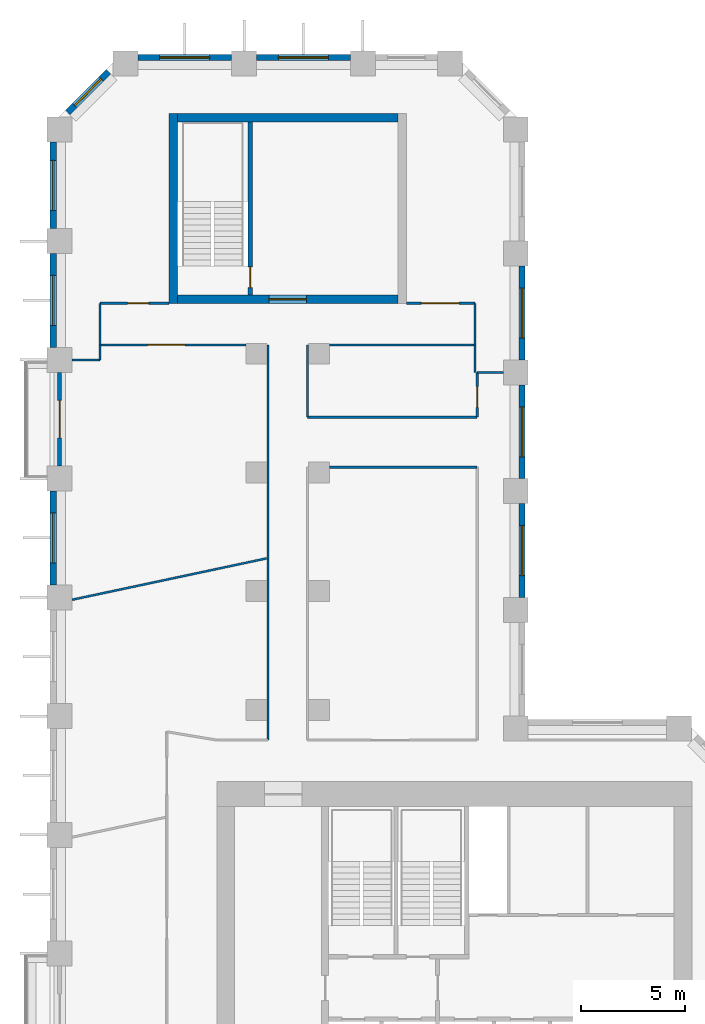
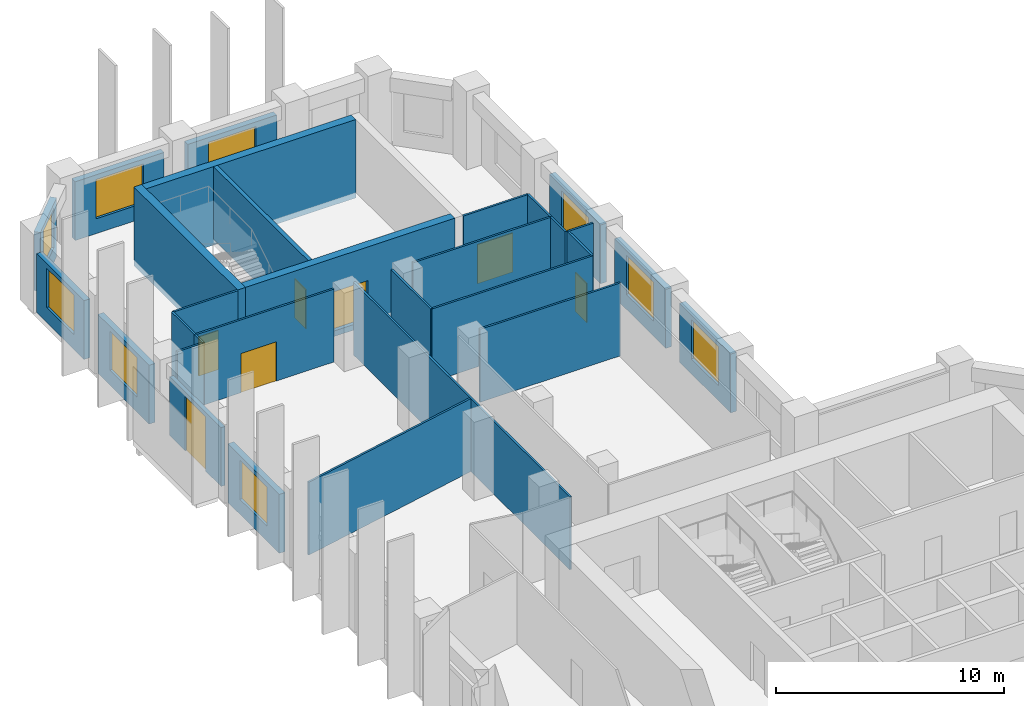
# One storey, part 8 of 10: 30 walls, 9 windows, 7 doors, 16 openings.
"""IFC4 building model written with IfcOpenShell, lengths in metres."""

import ifcopenshell
import ifcopenshell.guid

model = None  # the IFC model being written
_history = None  # IfcOwnerHistory: only IFC2X3 demands one
_inside = {}  # id of a spatial element -> (the spatial element, [elements in it])
_under = {}  # id of a project, library or spatial element -> (it, [spatial elements below it])
_declared = {}  # id of a project -> (the project, [libraries it declares])
_typed = {}  # id of a type object -> (the type object, [elements of that type])
_made_of = {}  # id of a material, layer set ... -> (it, [elements and type objects made of it])


def new_model(schema):
    """Start an empty IFC model of exactly this schema.

    Asked for "IFC4X3", IfcOpenShell would pick the latest addendum, in which some entities
    have other attributes; the version numbers below select the first issue.
    IFC2X3 requires an IfcOwnerHistory on every rooted entity: one is made here for all.
    """
    global model, _history
    if schema == "IFC4X3":
        model = ifcopenshell.file(schema_version=(4, 3, 0, 0))
    else:
        model = ifcopenshell.file(schema=schema)
    _inside.clear()
    _under.clear()
    _declared.clear()
    _typed.clear()
    _made_of.clear()
    _history = None
    if model.schema == "IFC2X3":
        org = make("IfcOrganization", Name="unknown")
        user = make(
            "IfcPersonAndOrganization",
            ThePerson=make("IfcPerson", FamilyName="unknown"),
            TheOrganization=org,
        )
        app = make(
            "IfcApplication",
            ApplicationDeveloper=org,
            Version="unknown",
            ApplicationFullName="unknown",
            ApplicationIdentifier="unknown",
        )
        _history = make(
            "IfcOwnerHistory",
            OwningUser=user,
            OwningApplication=app,
            ChangeAction="ADDED",
            CreationDate=0,
        )
    return model


def make(cls, **values):
    """One entity of the class cls with the attributes given. An attribute that is None is left unset."""
    return model.create_entity(
        cls, **{name: value for name, value in values.items() if value is not None}
    )


def rooted(cls, **values):
    """An entity with a GlobalId (a new one), such as an element, a storey or a relation."""
    return make(cls, GlobalId=ifcopenshell.guid.new(), OwnerHistory=_history, **values)


def si_unit(unit_type, name, prefix=None):
    """IfcSIUnit, for example si_unit("LENGTHUNIT", "METRE", prefix="MILLI")."""
    return make("IfcSIUnit", UnitType=unit_type, Prefix=prefix, Name=name)


def assignment(units):
    """IfcUnitAssignment: the units of a project."""
    return None if units is None else make("IfcUnitAssignment", Units=units)


def point(xyz):
    """IfcCartesianPoint."""
    return None if xyz is None else make("IfcCartesianPoint", Coordinates=xyz)


def direction(xyz):
    """IfcDirection."""
    return None if xyz is None else make("IfcDirection", DirectionRatios=xyz)


def frame(location, z_axis=None, x_axis=None):
    """IfcAxis2Placement3D, a coordinate frame: its origin and axes. An axis left out is left unset."""
    return make(
        "IfcAxis2Placement3D",
        Location=point(location),
        Axis=direction(z_axis),
        RefDirection=direction(x_axis),
    )


def frame_2d(location, x_axis=None):
    """IfcAxis2Placement2D, a coordinate frame in the plane: its origin and x axis."""
    return make(
        "IfcAxis2Placement2D", Location=point(location), RefDirection=direction(x_axis)
    )


def origin():
    """The frame at (0, 0, 0) with its axes left unset."""
    return frame((0.0, 0.0, 0.0))


def place(relative_to, where):
    """IfcLocalPlacement: puts the frame where relative to a parent placement (None: the world)."""
    return make(
        "IfcLocalPlacement", PlacementRelTo=relative_to, RelativePlacement=where
    )


def context(
    kind, dimensions, precision=None, world=None, true_north=None, identifier=None
):
    """IfcGeometricRepresentationContext, for example the 3D "Model" context."""
    return make(
        "IfcGeometricRepresentationContext",
        ContextIdentifier=identifier,
        ContextType=kind,
        CoordinateSpaceDimension=dimensions,
        Precision=precision,
        WorldCoordinateSystem=world,
        TrueNorth=true_north,
    )


def subcontext(parent, identifier, kind, view, scale=None):
    """IfcGeometricRepresentationSubContext, for example "Body" below "Model"."""
    return make(
        "IfcGeometricRepresentationSubContext",
        ContextIdentifier=identifier,
        ContextType=kind,
        ParentContext=parent,
        TargetScale=scale,
        TargetView=view,
    )


def project(units=None, contexts=None):
    """IfcProject with its units and contexts."""
    return rooted(
        "IfcProject",
        Name="project",
        RepresentationContexts=contexts,
        UnitsInContext=assignment(units),
    )


def spatial(cls, under=None, at=None, **own):
    """A site, building, storey or space (cls), placed at a placement, below another one or the project."""
    s = rooted(cls, ObjectPlacement=at, **own)
    if under is not None:
        _under.setdefault(under.id(), (under, []))[1].append(s)
    return s


def profile(cls, at=None, kind="AREA", **sizes):
    """A parametric profile (cls). Its sizes go by their IFC names, for example OverallWidth=200.0."""
    return make(cls, ProfileType=kind, Position=at, **sizes)


def rectangle(**sizes):
    """IfcRectangleProfileDef."""
    return profile("IfcRectangleProfileDef", **sizes)


def extrude(swept, where, along, depth):
    """IfcExtrudedAreaSolid: the profile swept, set in the frame where, extruded along a direction by depth."""
    return make(
        "IfcExtrudedAreaSolid",
        SweptArea=swept,
        Position=where,
        ExtrudedDirection=direction(along),
        Depth=depth,
    )


def shape(context_of_items, identifier, shape_type, items):
    """IfcShapeRepresentation: the items that make up one representation, for example the "Body"."""
    return make(
        "IfcShapeRepresentation",
        ContextOfItems=context_of_items,
        RepresentationIdentifier=identifier,
        RepresentationType=shape_type,
        Items=items,
    )


def material(Name=None, Category=None):
    """IfcMaterial."""
    return make("IfcMaterial", Name=Name, Category=Category)


def layer(
    of_material, thickness, ventilated=None, Name=None, Category=None, Priority=None
):
    """IfcMaterialLayer: one layer of a wall or slab, of a material (None: an air gap)."""
    return make(
        "IfcMaterialLayer",
        Material=of_material,
        LayerThickness=thickness,
        IsVentilated=ventilated,
        Name=Name,
        Category=Category,
        Priority=Priority,
    )


def layer_set(layers, Name=None):
    """IfcMaterialLayerSet."""
    return make("IfcMaterialLayerSet", MaterialLayers=layers, LayerSetName=Name)


def made_of(thing, what):
    """Note that an element or type object is made of a material, layer set ...; save() writes the relation."""
    if what is not None:
        _made_of.setdefault(what.id(), (what, []))[1].append(thing)
    return thing


def type_object(cls, material=None, **own):
    """A type object (cls), such as IfcWallType, which elements share."""
    return made_of(rooted(cls, **own), material)


def element(
    cls,
    number,
    at=None,
    inside=None,
    cuts=None,
    type_object=None,
    material=None,
    context=None,
    identifier="Body",
    shape_type=None,
    held_by="IfcProductDefinitionShape",
    body=None,
    shapes=None,
    **own,
):
    """One element of the class cls, such as IfcWall. Its Tag is "e" and its number.

    at: its placement. inside: the storey or other place that contains it. cuts: it is an
    opening in that element (IfcRelVoidsElement). A single representation is given by context,
    identifier, shape_type and body (its items); several are given by shapes. held_by: the class
    of the entity that holds the representations. save() writes the other relations.
    """
    e = rooted(cls, Tag="e%d" % number, ObjectPlacement=at, **own)
    if body is not None:
        shapes = [shape(context, identifier, shape_type, body)]
    if shapes is not None:
        e.Representation = make(held_by, Representations=shapes)
    if inside is not None:
        _inside.setdefault(inside.id(), (inside, []))[1].append(e)
    if cuts is not None:
        rooted(
            "IfcRelVoidsElement", RelatingBuildingElement=cuts, RelatedOpeningElement=e
        )
    if type_object is not None:
        _typed.setdefault(type_object.id(), (type_object, []))[1].append(e)
    return made_of(e, material)


def fill(opening, filler):
    """IfcRelFillsElement: the door or window that sits in an opening."""
    return rooted(
        "IfcRelFillsElement",
        RelatingOpeningElement=opening,
        RelatedBuildingElement=filler,
    )


def aggregate(whole, parts):
    """IfcRelAggregates: a whole, such as a stair, and the parts it consists of."""
    return rooted("IfcRelAggregates", RelatingObject=whole, RelatedObjects=parts)


def save(model, path):
    """Write the relations noted so far, then the file.

    IfcRelAggregates (storeys below a building ...), IfcRelContainedInSpatialStructure (elements
    in a storey), IfcRelDefinesByType, IfcRelAssociatesMaterial and IfcRelDeclares: one each for
    every whole, place, type object, material and project.
    """
    for whole, parts in _under.values():
        aggregate(whole, parts)
    for where, things in _inside.values():
        rooted(
            "IfcRelContainedInSpatialStructure",
            RelatedElements=things,
            RelatingStructure=where,
        )
    for kind, things in _typed.values():
        rooted("IfcRelDefinesByType", RelatedObjects=things, RelatingType=kind)
    for what, things in _made_of.values():
        rooted("IfcRelAssociatesMaterial", RelatedObjects=things, RelatingMaterial=what)
    for by, libraries in _declared.values():
        rooted("IfcRelDeclares", RelatingContext=by, RelatedDefinitions=libraries)
    model.write(path)


model = new_model("IFC4")

# Units and contexts
model_context = context("Model", 3, precision=1e-05, world=origin(), true_north=direction((0.0, 1.0)))
body_context = subcontext(model_context, "Body", "Model", "MODEL_VIEW")
ifc_project = project(units=[si_unit("LENGTHUNIT", "METRE"), si_unit("AREAUNIT", "SQUARE_METRE"), si_unit("VOLUMEUNIT", "CUBIC_METRE"), si_unit("PLANEANGLEUNIT", "RADIAN"), si_unit("MASSUNIT", "GRAM", prefix="KILO")], contexts=[model_context])

# Site, building, storey
site_placement = place(None, origin())
site = spatial("IfcSite", under=ifc_project, at=site_placement, CompositionType="ELEMENT")
building_placement = place(site_placement, origin())
building = spatial("IfcBuilding", under=site, at=building_placement, Name="Meshkara Civic Tower", CompositionType="ELEMENT")
storey_placement = place(building_placement, frame((0.0, 0.0, 211.800048828125)))
storey = spatial("IfcBuildingStorey", under=building, at=storey_placement, Name="L48", CompositionType="ELEMENT", Elevation=211.800048828125)

# Wall, opening, door
ifc_material_1 = material(Name="Corridor wall 100")
ifc_layer_1 = layer(ifc_material_1, 0.10009765625)
ifc_layer_set_1 = layer_set([ifc_layer_1], Name="Corridor wall 100")
wall_type_1 = type_object("IfcWallType", Name="Corridor wall 100", PredefinedType="PARTITIONING", material=ifc_layer_set_1)
wall_1_placement = place(storey_placement, frame((2.39990234375, 57.8701171875, 0.0), z_axis=(0.0, 0.0, 1.0), x_axis=(1.0, 0.0, 0.0)))
wall_1 = element("IfcWall", 1, at=wall_1_placement, inside=storey, type_object=wall_type_1, Name="L48-W001", PredefinedType="PARTITIONING", context=body_context, shape_type="SweptSolid", body=[
    extrude(rectangle(XDim=7.0, YDim=0.10009765625, at=frame_2d((3.5, 0.0))), origin(), (0.0, 0.0, 1.0), 3.89990234375),
])
opening_1_placement = place(wall_1_placement, frame((2.280029296875, 0.0, 0.0)))
opening_1 = element("IfcOpeningElement", 2, at=opening_1_placement, cuts=wall_1, Name="Opening L48-D020", PredefinedType="OPENING", context=body_context, shape_type="SweptSolid", body=[
    extrude(rectangle(XDim=1.800048828125, YDim=2.10009765625, at=frame_2d((0.89990234375, 1.050048828125))), frame((0.0, 0.06005859375, 0.0), z_axis=(0.0, -1.0, 0.0), x_axis=(1.0, 0.0, 0.0)), (0.0, 0.0, 1.0), 0.1201171875),
])
ifc_material_2 = material(Name="Door pair 1800 x 2100")
door_type_1 = type_object("IfcDoorType", Name="Door pair 1800 x 2100", OperationType="SINGLE_SWING_LEFT", PredefinedType="DOOR", material=ifc_material_2)
door_1_placement = place(opening_1_placement, origin())
door_1 = element("IfcDoor", 3, at=door_1_placement, inside=storey, type_object=door_type_1, Name="L48-D020", OperationType="DOUBLE_DOOR_SINGLE_SWING", OverallHeight=2.10009765625, OverallWidth=1.800048828125, PredefinedType="DOOR", context=body_context, shape_type="SweptSolid", body=[
    extrude(rectangle(XDim=1.800048828125, YDim=2.10009765625, at=frame_2d((0.89990234375, 1.050048828125))), frame((0.0, 0.02490234375, 0.0), z_axis=(0.0, -1.0, 0.0), x_axis=(1.0, 0.0, 0.0)), (0.0, 0.0, 1.0), 0.050048828125),
])
fill(opening_1, door_1)

# Wall
wall_2_placement = place(storey_placement, frame((2.39990234375, 59.8701171875, 0.0), z_axis=(0.0, 0.0, 1.0), x_axis=(0.0, -1.0, 0.0)))
element("IfcWall", 4, at=wall_2_placement, inside=storey, type_object=wall_type_1, Name="L48-W002", PredefinedType="PARTITIONING", context=body_context, shape_type="SweptSolid", body=[
    extrude(rectangle(XDim=2.0, YDim=0.10009765625, at=frame_2d((1.0, 0.0))), origin(), (0.0, 0.0, 1.0), 3.89990234375),
])

# Wall, opening, door
wall_3_placement = place(storey_placement, frame((5.699951171875, 59.8701171875, 0.0), z_axis=(0.0, 0.0, 1.0), x_axis=(-1.0, 0.0, 0.0)))
wall_3 = element("IfcWall", 5, at=wall_3_placement, inside=storey, type_object=wall_type_1, Name="L48-W005", PredefinedType="PARTITIONING", context=body_context, shape_type="SweptSolid", body=[
    extrude(rectangle(XDim=3.300048828125, YDim=0.10009765625, at=frame_2d((1.64990234375, 0.0))), origin(), (0.0, 0.0, 1.0), 3.89990234375),
])
opening_2_placement = place(wall_3_placement, frame((0.97998046875, 0.0, 0.0)))
opening_2 = element("IfcOpeningElement", 6, at=opening_2_placement, cuts=wall_3, Name="Opening L48-D019", PredefinedType="OPENING", context=body_context, shape_type="SweptSolid", body=[
    extrude(rectangle(XDim=1.0, YDim=2.10009765625, at=frame_2d((0.5, 1.050048828125))), frame((0.0, 0.06005859375, 0.0), z_axis=(0.0, -1.0, 0.0), x_axis=(1.0, 0.0, 0.0)), (0.0, 0.0, 1.0), 0.1201171875),
])
ifc_material_3 = material(Name="Door 1000 x 2100")
door_type_2 = type_object("IfcDoorType", Name="Door 1000 x 2100", OperationType="SINGLE_SWING_LEFT", PredefinedType="DOOR", material=ifc_material_3)
door_2_placement = place(opening_2_placement, origin())
door_2 = element("IfcDoor", 7, at=door_2_placement, inside=storey, type_object=door_type_2, Name="L48-D019", OperationType="SINGLE_SWING_RIGHT", OverallHeight=2.10009765625, OverallWidth=1.0, PredefinedType="DOOR", context=body_context, shape_type="SweptSolid", body=[
    extrude(rectangle(XDim=1.0, YDim=2.10009765625, at=frame_2d((0.5, 1.050048828125))), frame((0.0, 0.02490234375, 0.0), z_axis=(0.0, -1.0, 0.0), x_axis=(1.0, 0.0, 0.0)), (0.0, 0.0, 1.0), 0.050048828125),
])
fill(opening_2, door_2)

# Walls
wall_4_placement = place(storey_placement, frame((10.449951171875, 57.8701171875, 0.0), z_axis=(0.0, 0.0, 1.0), x_axis=(0.0, -1.0, 0.0)))
element("IfcWall", 8, at=wall_4_placement, inside=storey, type_object=wall_type_1, Name="L48-W013", PredefinedType="PARTITIONING", context=body_context, shape_type="SweptSolid", body=[
    extrude(rectangle(XDim=18.97021484375, YDim=0.10009765625, at=frame_2d((9.485107421875, 0.0))), origin(), (0.0, 0.0, 1.0), 3.89990234375),
])
wall_5_placement = place(storey_placement, frame((12.35009765625, 54.39990234375, 0.0), z_axis=(0.0, 0.0, 1.0), x_axis=(0.0, 1.0, 0.0)))
element("IfcWall", 9, at=wall_5_placement, inside=storey, type_object=wall_type_1, Name="L48-W015", PredefinedType="PARTITIONING", context=body_context, shape_type="SweptSolid", body=[
    extrude(rectangle(XDim=3.47021484375, YDim=0.10009765625, at=frame_2d((1.735107421875, 0.0))), origin(), (0.0, 0.0, 1.0), 3.89990234375),
])
wall_6_placement = place(storey_placement, frame((13.39990234375, 52.0, 0.0), z_axis=(0.0, 0.0, 1.0), x_axis=(1.0, 0.0, 0.0)))
element("IfcWall", 10, at=wall_6_placement, inside=storey, type_object=wall_type_1, Name="L48-W017", PredefinedType="PARTITIONING", context=body_context, shape_type="SweptSolid", body=[
    extrude(rectangle(XDim=7.10009765625, YDim=0.10009765625, at=frame_2d((3.550048828125, 0.0))), origin(), (0.0, 0.0, 1.0), 3.89990234375),
])
wall_7_placement = place(storey_placement, frame((13.39990234375, 57.8701171875, 0.0), z_axis=(0.0, 0.0, 1.0), x_axis=(1.0, 0.0, 0.0)))
element("IfcWall", 11, at=wall_7_placement, inside=storey, type_object=wall_type_1, Name="L48-W018", PredefinedType="PARTITIONING", context=body_context, shape_type="SweptSolid", body=[
    extrude(rectangle(XDim=7.0, YDim=0.10009765625, at=frame_2d((3.5, 0.0))), origin(), (0.0, 0.0, 1.0), 3.89990234375),
])
wall_8_placement = place(storey_placement, frame((20.39990234375, 57.8701171875, 0.0), z_axis=(0.0, 0.0, 1.0), x_axis=(0.0, 1.0, 0.0)))
element("IfcWall", 12, at=wall_8_placement, inside=storey, type_object=wall_type_1, Name="L48-W019", PredefinedType="PARTITIONING", context=body_context, shape_type="SweptSolid", body=[
    extrude(rectangle(XDim=2.0, YDim=0.10009765625, at=frame_2d((1.0, 0.0))), origin(), (0.0, 0.0, 1.0), 3.89990234375),
])

# Wall, opening, door
wall_9_placement = place(storey_placement, frame((20.39990234375, 59.8701171875, 0.0), z_axis=(0.0, 0.0, 1.0), x_axis=(-1.0, 0.0, 0.0)))
wall_9 = element("IfcWall", 13, at=wall_9_placement, inside=storey, type_object=wall_type_1, Name="L48-W020", PredefinedType="PARTITIONING", context=body_context, shape_type="SweptSolid", body=[
    extrude(rectangle(XDim=3.2998046875, YDim=0.10009765625, at=frame_2d((1.64990234375, 0.0))), origin(), (0.0, 0.0, 1.0), 3.89990234375),
])
opening_3_placement = place(wall_9_placement, frame((0.780029296875, 0.0, 0.0)))
opening_3 = element("IfcOpeningElement", 14, at=opening_3_placement, cuts=wall_9, Name="Opening L48-D021", PredefinedType="OPENING", context=body_context, shape_type="SweptSolid", body=[
    extrude(rectangle(XDim=1.800048828125, YDim=2.10009765625, at=frame_2d((0.89990234375, 1.050048828125))), frame((0.0, 0.06005859375, 0.0), z_axis=(0.0, -1.0, 0.0), x_axis=(1.0, 0.0, 0.0)), (0.0, 0.0, 1.0), 0.1201171875),
])
door_3_placement = place(opening_3_placement, origin())
door_3 = element("IfcDoor", 15, at=door_3_placement, inside=storey, type_object=door_type_1, Name="L48-D021", OperationType="DOUBLE_DOOR_SINGLE_SWING", OverallHeight=2.10009765625, OverallWidth=1.800048828125, PredefinedType="DOOR", context=body_context, shape_type="SweptSolid", body=[
    extrude(rectangle(XDim=1.800048828125, YDim=2.10009765625, at=frame_2d((0.89990234375, 1.050048828125))), frame((0.0, 0.02490234375, 0.0), z_axis=(0.0, -1.0, 0.0), x_axis=(1.0, 0.0, 0.0)), (0.0, 0.0, 1.0), 0.050048828125),
])
fill(opening_3, door_3)

# Wall
wall_10_placement = place(storey_placement, frame((20.5, 54.39990234375, 0.0), z_axis=(0.0, 0.0, 1.0), x_axis=(-1.0, 0.0, 0.0)))
element("IfcWall", 16, at=wall_10_placement, inside=storey, type_object=wall_type_1, Name="L48-W023", PredefinedType="PARTITIONING", context=body_context, shape_type="SweptSolid", body=[
    extrude(rectangle(XDim=8.14990234375, YDim=0.10009765625, at=frame_2d((4.074951171875, 0.0))), origin(), (0.0, 0.0, 1.0), 3.89990234375),
])

# Wall, opening, door
wall_11_placement = place(storey_placement, frame((20.5, 56.550048828125, 0.0), z_axis=(0.0, 0.0, 1.0), x_axis=(0.0, -1.0, 0.0)))
wall_11 = element("IfcWall", 17, at=wall_11_placement, inside=storey, type_object=wall_type_1, Name="L48-W024", PredefinedType="PARTITIONING", context=body_context, shape_type="SweptSolid", body=[
    extrude(rectangle(XDim=2.150146484375, YDim=0.10009765625, at=frame_2d((1.0751953125, 0.0))), origin(), (0.0, 0.0, 1.0), 3.89990234375),
])
opening_4_placement = place(wall_11_placement, frame((0.679931640625, 0.0, 0.0)))
opening_4 = element("IfcOpeningElement", 18, at=opening_4_placement, cuts=wall_11, Name="Opening L48-D022", PredefinedType="OPENING", context=body_context, shape_type="SweptSolid", body=[
    extrude(rectangle(XDim=1.0, YDim=2.10009765625, at=frame_2d((0.5, 1.050048828125))), frame((0.0, 0.06005859375, 0.0), z_axis=(0.0, -1.0, 0.0), x_axis=(1.0, 0.0, 0.0)), (0.0, 0.0, 1.0), 0.1201171875),
])
door_4_placement = place(opening_4_placement, origin())
door_4 = element("IfcDoor", 19, at=door_4_placement, inside=storey, type_object=door_type_2, Name="L48-D022", OperationType="SINGLE_SWING_LEFT", OverallHeight=2.10009765625, OverallWidth=1.0, PredefinedType="DOOR", context=body_context, shape_type="SweptSolid", body=[
    extrude(rectangle(XDim=1.0, YDim=2.10009765625, at=frame_2d((0.5, 1.050048828125))), frame((0.0, 0.02490234375, 0.0), z_axis=(0.0, -1.0, 0.0), x_axis=(1.0, 0.0, 0.0)), (0.0, 0.0, 1.0), 0.050048828125),
])
fill(opening_4, door_4)

# Wall
wall_12_placement = place(storey_placement, frame((21.75, 56.550048828125, 0.0), z_axis=(0.0, 0.0, 1.0), x_axis=(-1.0, 0.0, 0.0)))
element("IfcWall", 20, at=wall_12_placement, inside=storey, type_object=wall_type_1, Name="L48-W025", PredefinedType="PARTITIONING", context=body_context, shape_type="SweptSolid", body=[
    extrude(rectangle(XDim=1.25, YDim=0.10009765625, at=frame_2d((0.625, 0.0))), origin(), (0.0, 0.0, 1.0), 3.89990234375),
])

# Wall, opening, window
ifc_material_4 = material(Name="Insulated infill panel with bronze anodised aluminium cladding", Category="aluminium")
ifc_layer_2 = layer(ifc_material_4, 0.300048828125)
ifc_layer_set_2 = layer_set([ifc_layer_2], Name="EXTERNAL INFILL WALL 300")
wall_type_2 = type_object("IfcWallType", Name="EXTERNAL INFILL WALL 300", PredefinedType="SOLIDWALL", material=ifc_layer_set_2)
wall_13_placement = place(storey_placement, frame((22.64990234375, 45.75, 0.0), z_axis=(0.0, 0.0, 1.0), x_axis=(0.0, 1.0, 0.0)))
wall_13 = element("IfcWall", 21, at=wall_13_placement, inside=storey, type_object=wall_type_2, Name="External wall", PredefinedType="SOLIDWALL", context=body_context, shape_type="SweptSolid", body=[
    extrude(rectangle(XDim=4.5, YDim=0.300048828125, at=frame_2d((2.25, 0.0))), origin(), (0.0, 0.0, 1.0), 3.14990234375),
])
opening_5_placement = place(wall_13_placement, frame((1.050048828125, 0.0, 0.800048828125)))
opening_5 = element("IfcOpeningElement", 22, at=opening_5_placement, cuts=wall_13, Name="Opening W7", PredefinedType="OPENING", context=body_context, shape_type="SweptSolid", body=[
    extrude(rectangle(XDim=2.39990234375, YDim=2.10009765625, at=frame_2d((1.199951171875, 1.050048828125))), frame((0.0, 0.159912109375, 0.0), z_axis=(0.0, -1.0, 0.0), x_axis=(1.0, 0.0, 0.0)), (0.0, 0.0, 1.0), 0.320068359375),
])
ifc_material_5 = material(Name="Tinted double glazing", Category="glass")
window_type_1 = type_object("IfcWindowType", Name="WINDOW 2400x2100", PartitioningType="DOUBLE_PANEL_VERTICAL", PredefinedType="WINDOW", material=ifc_material_5)
window_1_placement = place(opening_5_placement, origin())
window_1 = element("IfcWindow", 23, at=window_1_placement, inside=storey, type_object=window_type_1, Name="Window", OverallHeight=2.10009765625, OverallWidth=2.39990234375, PartitioningType="DOUBLE_PANEL_VERTICAL", PredefinedType="WINDOW", context=body_context, shape_type="SweptSolid", body=[
    extrude(rectangle(XDim=2.39990234375, YDim=2.10009765625, at=frame_2d((1.199951171875, 1.050048828125))), frame((0.0, 0.030029296875, 0.0), z_axis=(0.0, -1.0, 0.0), x_axis=(1.0, 0.0, 0.0)), (0.0, 0.0, 1.0), 0.06005859375),
])
fill(opening_5, window_1)

wall_14_placement = place(storey_placement, frame((22.64990234375, 51.449951171875, 0.0), z_axis=(0.0, 0.0, 1.0), x_axis=(0.0, 1.0, 0.0)))
wall_14 = element("IfcWall", 24, at=wall_14_placement, inside=storey, type_object=wall_type_2, Name="External wall", PredefinedType="SOLIDWALL", context=body_context, shape_type="SweptSolid", body=[
    extrude(rectangle(XDim=4.5, YDim=0.300048828125, at=frame_2d((2.25, 0.0))), origin(), (0.0, 0.0, 1.0), 3.14990234375),
])
opening_6_placement = place(wall_14_placement, frame((1.050048828125, 0.0, 0.800048828125)))
opening_6 = element("IfcOpeningElement", 25, at=opening_6_placement, cuts=wall_14, Name="Opening W7", PredefinedType="OPENING", context=body_context, shape_type="SweptSolid", body=[
    extrude(rectangle(XDim=2.39990234375, YDim=2.10009765625, at=frame_2d((1.199951171875, 1.050048828125))), frame((0.0, 0.159912109375, 0.0), z_axis=(0.0, -1.0, 0.0), x_axis=(1.0, 0.0, 0.0)), (0.0, 0.0, 1.0), 0.320068359375),
])
window_2_placement = place(opening_6_placement, origin())
window_2 = element("IfcWindow", 26, at=window_2_placement, inside=storey, type_object=window_type_1, Name="Window", OverallHeight=2.10009765625, OverallWidth=2.39990234375, PartitioningType="DOUBLE_PANEL_VERTICAL", PredefinedType="WINDOW", context=body_context, shape_type="SweptSolid", body=[
    extrude(rectangle(XDim=2.39990234375, YDim=2.10009765625, at=frame_2d((1.199951171875, 1.050048828125))), frame((0.0, 0.030029296875, 0.0), z_axis=(0.0, -1.0, 0.0), x_axis=(1.0, 0.0, 0.0)), (0.0, 0.0, 1.0), 0.06005859375),
])
fill(opening_6, window_2)

wall_15_placement = place(storey_placement, frame((22.64990234375, 57.14990234375, 0.0), z_axis=(0.0, 0.0, 1.0), x_axis=(0.0, 1.0, 0.0)))
wall_15 = element("IfcWall", 27, at=wall_15_placement, inside=storey, type_object=wall_type_2, Name="External wall", PredefinedType="SOLIDWALL", context=body_context, shape_type="SweptSolid", body=[
    extrude(rectangle(XDim=4.5, YDim=0.300048828125, at=frame_2d((2.25, 0.0))), origin(), (0.0, 0.0, 1.0), 3.14990234375),
])
opening_7_placement = place(wall_15_placement, frame((1.050048828125, 0.0, 0.800048828125)))
opening_7 = element("IfcOpeningElement", 28, at=opening_7_placement, cuts=wall_15, Name="Opening W7", PredefinedType="OPENING", context=body_context, shape_type="SweptSolid", body=[
    extrude(rectangle(XDim=2.39990234375, YDim=2.10009765625, at=frame_2d((1.199951171875, 1.050048828125))), frame((0.0, 0.159912109375, 0.0), z_axis=(0.0, -1.0, 0.0), x_axis=(1.0, 0.0, 0.0)), (0.0, 0.0, 1.0), 0.320068359375),
])
window_3_placement = place(opening_7_placement, origin())
window_3 = element("IfcWindow", 29, at=window_3_placement, inside=storey, type_object=window_type_1, Name="Window", OverallHeight=2.10009765625, OverallWidth=2.39990234375, PartitioningType="DOUBLE_PANEL_VERTICAL", PredefinedType="WINDOW", context=body_context, shape_type="SweptSolid", body=[
    extrude(rectangle(XDim=2.39990234375, YDim=2.10009765625, at=frame_2d((1.199951171875, 1.050048828125))), frame((0.0, 0.030029296875, 0.0), z_axis=(0.0, -1.0, 0.0), x_axis=(1.0, 0.0, 0.0)), (0.0, 0.0, 1.0), 0.06005859375),
])
fill(opening_7, window_3)

wall_16_placement = place(storey_placement, frame((14.406005859375, 71.669921875, 0.0), z_axis=(0.0, 0.0, 1.0), x_axis=(-1.0, 0.0, 0.0)))
wall_16 = element("IfcWall", 30, at=wall_16_placement, inside=storey, type_object=wall_type_2, Name="External wall", PredefinedType="SOLIDWALL", context=body_context, shape_type="SweptSolid", body=[
    extrude(rectangle(XDim=4.5, YDim=0.300048828125, at=frame_2d((2.25, 0.0))), origin(), (0.0, 0.0, 1.0), 3.14990234375),
])
opening_8_placement = place(wall_16_placement, frame((1.050048828125, 0.0, 0.800048828125)))
opening_8 = element("IfcOpeningElement", 31, at=opening_8_placement, cuts=wall_16, Name="Opening W7", PredefinedType="OPENING", context=body_context, shape_type="SweptSolid", body=[
    extrude(rectangle(XDim=2.39990234375, YDim=2.10009765625, at=frame_2d((1.199951171875, 1.050048828125))), frame((0.0, 0.159912109375, 0.0), z_axis=(0.0, -1.0, 0.0), x_axis=(1.0, 0.0, 0.0)), (0.0, 0.0, 1.0), 0.320068359375),
])
window_4_placement = place(opening_8_placement, origin())
window_4 = element("IfcWindow", 32, at=window_4_placement, inside=storey, type_object=window_type_1, Name="Window", OverallHeight=2.10009765625, OverallWidth=2.39990234375, PartitioningType="DOUBLE_PANEL_VERTICAL", PredefinedType="WINDOW", context=body_context, shape_type="SweptSolid", body=[
    extrude(rectangle(XDim=2.39990234375, YDim=2.10009765625, at=frame_2d((1.199951171875, 1.050048828125))), frame((0.0, 0.030029296875, 0.0), z_axis=(0.0, -1.0, 0.0), x_axis=(1.0, 0.0, 0.0)), (0.0, 0.0, 1.0), 0.06005859375),
])
fill(opening_8, window_4)

wall_17_placement = place(storey_placement, frame((8.7060546875, 71.669921875, 0.0), z_axis=(0.0, 0.0, 1.0), x_axis=(-1.0, 0.0, 0.0)))
wall_17 = element("IfcWall", 33, at=wall_17_placement, inside=storey, type_object=wall_type_2, Name="External wall", PredefinedType="SOLIDWALL", context=body_context, shape_type="SweptSolid", body=[
    extrude(rectangle(XDim=4.5, YDim=0.300048828125, at=frame_2d((2.25, 0.0))), origin(), (0.0, 0.0, 1.0), 3.14990234375),
])
opening_9_placement = place(wall_17_placement, frame((1.050048828125, 0.0, 0.800048828125)))
opening_9 = element("IfcOpeningElement", 34, at=opening_9_placement, cuts=wall_17, Name="Opening W7", PredefinedType="OPENING", context=body_context, shape_type="SweptSolid", body=[
    extrude(rectangle(XDim=2.39990234375, YDim=2.10009765625, at=frame_2d((1.199951171875, 1.050048828125))), frame((0.0, 0.159912109375, 0.0), z_axis=(0.0, -1.0, 0.0), x_axis=(1.0, 0.0, 0.0)), (0.0, 0.0, 1.0), 0.320068359375),
])
window_5_placement = place(opening_9_placement, origin())
window_5 = element("IfcWindow", 35, at=window_5_placement, inside=storey, type_object=window_type_1, Name="Window", OverallHeight=2.10009765625, OverallWidth=2.39990234375, PartitioningType="DOUBLE_PANEL_VERTICAL", PredefinedType="WINDOW", context=body_context, shape_type="SweptSolid", body=[
    extrude(rectangle(XDim=2.39990234375, YDim=2.10009765625, at=frame_2d((1.199951171875, 1.050048828125))), frame((0.0, 0.030029296875, 0.0), z_axis=(0.0, -1.0, 0.0), x_axis=(1.0, 0.0, 0.0)), (0.0, 0.0, 1.0), 0.06005859375),
])
fill(opening_9, window_5)

wall_18_placement = place(storey_placement, frame((2.7939453125, 70.98193359375, 0.0), z_axis=(0.0, 0.0, 1.0), x_axis=(-0.707106781187, -0.707106781187, 0.0)))
wall_18 = element("IfcWall", 36, at=wall_18_placement, inside=storey, type_object=wall_type_2, Name="External wall", PredefinedType="SOLIDWALL", context=body_context, shape_type="SweptSolid", body=[
    extrude(rectangle(XDim=2.766357421875, YDim=0.300048828125, at=frame_2d((1.38330078125, 0.0))), origin(), (0.0, 0.0, 1.0), 3.14990234375),
])
opening_10_placement = place(wall_18_placement, frame((0.48291015625, 0.0, 0.800048828125)))
opening_10 = element("IfcOpeningElement", 37, at=opening_10_placement, cuts=wall_18, Name="Opening W9", PredefinedType="OPENING", context=body_context, shape_type="SweptSolid", body=[
    extrude(rectangle(XDim=1.800048828125, YDim=2.10009765625, at=frame_2d((0.89990234375, 1.050048828125))), frame((0.0, 0.159912109375, 0.0), z_axis=(0.0, -1.0, 0.0), x_axis=(1.0, 0.0, 0.0)), (0.0, 0.0, 1.0), 0.320068359375),
])
ifc_material_6 = material(Name="Tinted double glazing", Category="glass")
window_type_2 = type_object("IfcWindowType", Name="WINDOW 1800x2100", PartitioningType="DOUBLE_PANEL_VERTICAL", PredefinedType="WINDOW", material=ifc_material_6)
window_6_placement = place(opening_10_placement, origin())
window_6 = element("IfcWindow", 38, at=window_6_placement, inside=storey, type_object=window_type_2, Name="Window", OverallHeight=2.10009765625, OverallWidth=1.800048828125, PartitioningType="DOUBLE_PANEL_VERTICAL", PredefinedType="WINDOW", context=body_context, shape_type="SweptSolid", body=[
    extrude(rectangle(XDim=1.800048828125, YDim=2.10009765625, at=frame_2d((0.89990234375, 1.050048828125))), frame((0.0, 0.030029296875, 0.0), z_axis=(0.0, -1.0, 0.0), x_axis=(1.0, 0.0, 0.0)), (0.0, 0.0, 1.0), 0.06005859375),
])
fill(opening_10, window_6)

wall_19_placement = place(storey_placement, frame((0.14990234375, 67.614013671875, 0.0), z_axis=(0.0, 0.0, 1.0), x_axis=(0.0, -1.0, 0.0)))
wall_19 = element("IfcWall", 39, at=wall_19_placement, inside=storey, type_object=wall_type_2, Name="External wall", PredefinedType="SOLIDWALL", context=body_context, shape_type="SweptSolid", body=[
    extrude(rectangle(XDim=4.158935546875, YDim=0.300048828125, at=frame_2d((2.07958984375, 0.0))), origin(), (0.0, 0.0, 1.0), 3.14990234375),
])
opening_11_placement = place(wall_19_placement, frame((0.8798828125, 0.0, 0.800048828125)))
opening_11 = element("IfcOpeningElement", 40, at=opening_11_placement, cuts=wall_19, Name="Opening W7", PredefinedType="OPENING", context=body_context, shape_type="SweptSolid", body=[
    extrude(rectangle(XDim=2.39990234375, YDim=2.10009765625, at=frame_2d((1.199951171875, 1.050048828125))), frame((0.0, 0.159912109375, 0.0), z_axis=(0.0, -1.0, 0.0), x_axis=(1.0, 0.0, 0.0)), (0.0, 0.0, 1.0), 0.320068359375),
])
window_7_placement = place(opening_11_placement, origin())
window_7 = element("IfcWindow", 41, at=window_7_placement, inside=storey, type_object=window_type_1, Name="Window", OverallHeight=2.10009765625, OverallWidth=2.39990234375, PartitioningType="DOUBLE_PANEL_VERTICAL", PredefinedType="WINDOW", context=body_context, shape_type="SweptSolid", body=[
    extrude(rectangle(XDim=2.39990234375, YDim=2.10009765625, at=frame_2d((1.199951171875, 1.050048828125))), frame((0.0, 0.030029296875, 0.0), z_axis=(0.0, -1.0, 0.0), x_axis=(1.0, 0.0, 0.0)), (0.0, 0.0, 1.0), 0.06005859375),
])
fill(opening_11, window_7)

wall_20_placement = place(storey_placement, frame((0.14990234375, 62.2548828125, 0.0), z_axis=(0.0, 0.0, 1.0), x_axis=(0.0, -1.0, 0.0)))
wall_20 = element("IfcWall", 42, at=wall_20_placement, inside=storey, type_object=wall_type_2, Name="External wall", PredefinedType="SOLIDWALL", context=body_context, shape_type="SweptSolid", body=[
    extrude(rectangle(XDim=4.5, YDim=0.300048828125, at=frame_2d((2.25, 0.0))), origin(), (0.0, 0.0, 1.0), 3.14990234375),
])
opening_12_placement = place(wall_20_placement, frame((1.050048828125, 0.0, 0.800048828125)))
opening_12 = element("IfcOpeningElement", 43, at=opening_12_placement, cuts=wall_20, Name="Opening W7", PredefinedType="OPENING", context=body_context, shape_type="SweptSolid", body=[
    extrude(rectangle(XDim=2.39990234375, YDim=2.10009765625, at=frame_2d((1.199951171875, 1.050048828125))), frame((0.0, 0.159912109375, 0.0), z_axis=(0.0, -1.0, 0.0), x_axis=(1.0, 0.0, 0.0)), (0.0, 0.0, 1.0), 0.320068359375),
])
window_8_placement = place(opening_12_placement, origin())
window_8 = element("IfcWindow", 44, at=window_8_placement, inside=storey, type_object=window_type_1, Name="Window", OverallHeight=2.10009765625, OverallWidth=2.39990234375, PartitioningType="DOUBLE_PANEL_VERTICAL", PredefinedType="WINDOW", context=body_context, shape_type="SweptSolid", body=[
    extrude(rectangle(XDim=2.39990234375, YDim=2.10009765625, at=frame_2d((1.199951171875, 1.050048828125))), frame((0.0, 0.030029296875, 0.0), z_axis=(0.0, -1.0, 0.0), x_axis=(1.0, 0.0, 0.0)), (0.0, 0.0, 1.0), 0.06005859375),
])
fill(opening_12, window_8)

wall_21_placement = place(storey_placement, frame((0.14990234375, 50.85498046875, 0.0), z_axis=(0.0, 0.0, 1.0), x_axis=(0.0, -1.0, 0.0)))
wall_21 = element("IfcWall", 45, at=wall_21_placement, inside=storey, type_object=wall_type_2, Name="External wall", PredefinedType="SOLIDWALL", context=body_context, shape_type="SweptSolid", body=[
    extrude(rectangle(XDim=4.5, YDim=0.300048828125, at=frame_2d((2.25, 0.0))), origin(), (0.0, 0.0, 1.0), 3.14990234375),
])
opening_13_placement = place(wall_21_placement, frame((1.050048828125, 0.0, 0.800048828125)))
opening_13 = element("IfcOpeningElement", 46, at=opening_13_placement, cuts=wall_21, Name="Opening W7", PredefinedType="OPENING", context=body_context, shape_type="SweptSolid", body=[
    extrude(rectangle(XDim=2.39990234375, YDim=2.10009765625, at=frame_2d((1.199951171875, 1.050048828125))), frame((0.0, 0.159912109375, 0.0), z_axis=(0.0, -1.0, 0.0), x_axis=(1.0, 0.0, 0.0)), (0.0, 0.0, 1.0), 0.320068359375),
])
window_9_placement = place(opening_13_placement, origin())
window_9 = element("IfcWindow", 47, at=window_9_placement, inside=storey, type_object=window_type_1, Name="Window", OverallHeight=2.10009765625, OverallWidth=2.39990234375, PartitioningType="DOUBLE_PANEL_VERTICAL", PredefinedType="WINDOW", context=body_context, shape_type="SweptSolid", body=[
    extrude(rectangle(XDim=2.39990234375, YDim=2.10009765625, at=frame_2d((1.199951171875, 1.050048828125))), frame((0.0, 0.030029296875, 0.0), z_axis=(0.0, -1.0, 0.0), x_axis=(1.0, 0.0, 0.0)), (0.0, 0.0, 1.0), 0.06005859375),
])
fill(opening_13, window_9)

# Wall
ifc_material_7 = material(Name="Concrete C70", Category="concrete")
ifc_layer_3 = layer(ifc_material_7, 0.39990234375)
ifc_layer_set_3 = layer_set([ifc_layer_3], Name="End core ring wall 400 C70")
wall_type_3 = type_object("IfcWallType", Name="End core ring wall 400 C70", PredefinedType="SHEAR", material=ifc_layer_set_3)
wall_22_placement = place(storey_placement, frame((5.89990234375, 59.8701171875, -0.300048828125), z_axis=(0.0, 0.0, 1.0), x_axis=(0.0, 1.0, 0.0)))
element("IfcWall", 48, at=wall_22_placement, inside=storey, type_object=wall_type_3, Name="L48-C023", PredefinedType="SHEAR", context=body_context, shape_type="SweptSolid", body=[
    extrude(rectangle(XDim=9.099853515625, YDim=0.39990234375, at=frame_2d((4.5498046875, 0.0))), origin(), (0.0, 0.0, 1.0), 4.199951171875),
])

# Wall, opening, door
wall_23_placement = place(storey_placement, frame((6.10009765625, 60.070068359375, -0.300048828125), z_axis=(0.0, 0.0, 1.0), x_axis=(1.0, 0.0, 0.0)))
wall_23 = element("IfcWall", 49, at=wall_23_placement, inside=storey, type_object=wall_type_3, Name="L48-C025", PredefinedType="SHEAR", context=body_context, shape_type="SweptSolid", body=[
    extrude(rectangle(XDim=10.599853515625, YDim=0.39990234375, at=frame_2d((5.2998046875, 0.0))), origin(), (0.0, 0.0, 1.0), 4.199951171875),
])
opening_14_placement = place(wall_23_placement, frame((4.39990234375, 0.0, 0.300048828125)))
opening_14 = element("IfcOpeningElement", 50, at=opening_14_placement, cuts=wall_23, Name="Opening L48-K102", PredefinedType="OPENING", context=body_context, shape_type="SweptSolid", body=[
    extrude(rectangle(XDim=1.800048828125, YDim=2.10009765625, at=frame_2d((0.89990234375, 1.050048828125))), frame((0.0, 0.2099609375, 0.0), z_axis=(0.0, -1.0, 0.0), x_axis=(1.0, 0.0, 0.0)), (0.0, 0.0, 1.0), 0.419921875),
])
ifc_material_8 = material(Name="Fire-rated door leaf in steel frame", Category="steel")
door_type_3 = type_object("IfcDoorType", Name="Core double door 1800 EI 60", OperationType="DOUBLE_DOOR_SINGLE_SWING", PredefinedType="DOOR", material=ifc_material_8)
door_5_placement = place(opening_14_placement, origin())
door_5 = element("IfcDoor", 51, at=door_5_placement, inside=storey, type_object=door_type_3, Name="L48-K102", OperationType="DOUBLE_DOOR_SINGLE_SWING", OverallHeight=2.10009765625, OverallWidth=1.800048828125, PredefinedType="DOOR", context=body_context, shape_type="SweptSolid", body=[
    extrude(rectangle(XDim=1.800048828125, YDim=2.10009765625, at=frame_2d((0.89990234375, 1.050048828125))), frame((0.0, 0.02490234375, 0.0), z_axis=(0.0, -1.0, 0.0), x_axis=(1.0, 0.0, 0.0)), (0.0, 0.0, 1.0), 0.050048828125),
])
fill(opening_14, door_5)

# Wall
wall_24_placement = place(storey_placement, frame((6.10009765625, 68.77001953125, -0.300048828125), z_axis=(0.0, 0.0, 1.0), x_axis=(1.0, 0.0, 0.0)))
element("IfcWall", 52, at=wall_24_placement, inside=storey, type_object=wall_type_3, Name="L48-C026", PredefinedType="SHEAR", context=body_context, shape_type="SweptSolid", body=[
    extrude(rectangle(XDim=10.599853515625, YDim=0.39990234375, at=frame_2d((5.2998046875, 0.0))), origin(), (0.0, 0.0, 1.0), 4.199951171875),
])

# Wall, opening, door
ifc_material_9 = material(Name="Insulated infill panel with bronze anodised aluminium cladding", Category="aluminium")
ifc_layer_4 = layer(ifc_material_9, 0.199951171875)
ifc_layer_set_4 = layer_set([ifc_layer_4], Name="LOGGIA BACK WALL 200")
wall_type_4 = type_object("IfcWallType", Name="LOGGIA BACK WALL 200", PredefinedType="SOLIDWALL", material=ifc_layer_set_4)
wall_25_placement = place(storey_placement, frame((0.449951171875, 56.554931640625, 0.0), z_axis=(0.0, 0.0, 1.0), x_axis=(0.0, -1.0, 0.0)))
wall_25 = element("IfcWall", 53, at=wall_25_placement, inside=storey, type_object=wall_type_4, Name="Loggia wall", PredefinedType="SOLIDWALL", context=body_context, shape_type="SweptSolid", body=[
    extrude(rectangle(XDim=4.5, YDim=0.199951171875, at=frame_2d((2.25, 0.0))), origin(), (0.0, 0.0, 1.0), 3.14990234375),
])
opening_15_placement = place(wall_25_placement, frame((1.35009765625, 0.0, 0.0)))
opening_15 = element("IfcOpeningElement", 54, at=opening_15_placement, cuts=wall_25, Name="Opening L48-L001", PredefinedType="OPENING", context=body_context, shape_type="SweptSolid", body=[
    extrude(rectangle(XDim=1.800048828125, YDim=2.89990234375, at=frame_2d((0.89990234375, 1.449951171875))), frame((0.0, 0.10986328125, 0.0), z_axis=(0.0, -1.0, 0.0), x_axis=(1.0, 0.0, 0.0)), (0.0, 0.0, 1.0), 0.219970703125),
])
ifc_material_10 = material(Name="Tinted double glazing", Category="glass")
door_type_4 = type_object("IfcDoorType", Name="LOGGIA DOOR 1800x2900", OperationType="DOUBLE_DOOR_SINGLE_SWING", PredefinedType="DOOR", material=ifc_material_10)
door_6_placement = place(opening_15_placement, origin())
door_6 = element("IfcDoor", 55, at=door_6_placement, inside=storey, type_object=door_type_4, Name="L48-L001", OperationType="DOUBLE_DOOR_SINGLE_SWING", OverallHeight=2.89990234375, OverallWidth=1.800048828125, PredefinedType="DOOR", context=body_context, shape_type="SweptSolid", body=[
    extrude(rectangle(XDim=1.800048828125, YDim=2.89990234375, at=frame_2d((0.89990234375, 1.449951171875))), frame((0.0, 0.02490234375, 0.0), z_axis=(0.0, -1.0, 0.0), x_axis=(1.0, 0.0, 0.0)), (0.0, 0.0, 1.0), 0.050048828125),
])
fill(opening_15, door_6)

# Walls
ifc_material_11 = material(Name="Partition 100")
ifc_layer_5 = layer(ifc_material_11, 0.10009765625)
ifc_layer_set_5 = layer_set([ifc_layer_5], Name="Partition 100")
wall_type_5 = type_object("IfcWallType", Name="Partition 100", PredefinedType="PARTITIONING", material=ifc_layer_set_5)
wall_26_placement = place(storey_placement, frame((2.39990234375, 57.155029296875, 0.0), z_axis=(0.0, 0.0, 1.0), x_axis=(-1.0, 0.0, 0.0)))
element("IfcWall", 56, at=wall_26_placement, inside=storey, type_object=wall_type_5, Name="L48-W044", PredefinedType="PARTITIONING", context=body_context, shape_type="SweptSolid", body=[
    extrude(rectangle(XDim=1.349853515625, YDim=0.10009765625, at=frame_2d((0.6748046875, 0.0))), origin(), (0.0, 0.0, 1.0), 3.89990234375),
])
wall_27_placement = place(storey_placement, frame((2.39990234375, 57.8740234375, 0.0), z_axis=(0.0, 0.0, 1.0), x_axis=(0.0, -1.0, 0.0)))
element("IfcWall", 57, at=wall_27_placement, inside=storey, type_object=wall_type_5, Name="L48-W045", PredefinedType="PARTITIONING", context=body_context, shape_type="SweptSolid", body=[
    extrude(rectangle(XDim=0.718994140625, YDim=0.10009765625, at=frame_2d((0.359375, 0.0))), origin(), (0.0, 0.0, 1.0), 3.89990234375),
])
wall_28_placement = place(storey_placement, frame((10.389892578125, 47.623046875, 0.0), z_axis=(0.0, 0.0, 1.0), x_axis=(-0.978129729955, -0.207995748463, 0.0)))
element("IfcWall", 58, at=wall_28_placement, inside=storey, type_object=wall_type_5, Name="L48-W050", PredefinedType="PARTITIONING", context=body_context, shape_type="SweptSolid", body=[
    extrude(rectangle(XDim=9.548583984375, YDim=0.10009765625, at=frame_2d((4.7744140625, 0.0))), origin(), (0.0, 0.0, 1.0), 3.89990234375),
])
wall_29_placement = place(storey_placement, frame((20.39990234375, 56.550048828125, 0.0), z_axis=(0.0, 0.0, 1.0), x_axis=(0.0, 1.0, 0.0)))
element("IfcWall", 59, at=wall_29_placement, inside=storey, type_object=wall_type_5, Name="L48-W052", PredefinedType="PARTITIONING", context=body_context, shape_type="SweptSolid", body=[
    extrude(rectangle(XDim=1.323974609375, YDim=0.10009765625, at=frame_2d((0.662109375, 0.0))), origin(), (0.0, 0.0, 1.0), 3.89990234375),
])

# Wall, opening, door
ifc_material_12 = material(Name="Concrete C40/50", Category="concrete")
ifc_layer_6 = layer(ifc_material_12, 0.199951171875)
ifc_layer_set_6 = layer_set([ifc_layer_6], Name="Stair enclosure wall 200 C40/50")
wall_type_6 = type_object("IfcWallType", Name="Stair enclosure wall 200 C40/50", PredefinedType="SOLIDWALL", material=ifc_layer_set_6)
wall_30_placement = place(storey_placement, frame((9.60009765625, 60.27001953125, 0.0), z_axis=(0.0, 0.0, 1.0), x_axis=(0.0, 1.0, 0.0)))
wall_30 = element("IfcWall", 60, at=wall_30_placement, inside=storey, type_object=wall_type_6, Name="L48-C027", PredefinedType="SOLIDWALL", context=body_context, shape_type="SweptSolid", body=[
    extrude(rectangle(XDim=8.300048828125, YDim=0.199951171875, at=frame_2d((4.14990234375, 0.0))), origin(), (0.0, 0.0, 1.0), 3.89990234375),
])
opening_16_placement = place(wall_30_placement, frame((0.35009765625, 0.0, 0.0)))
opening_16 = element("IfcOpeningElement", 61, at=opening_16_placement, cuts=wall_30, Name="Opening L48-K101", PredefinedType="OPENING", context=body_context, shape_type="SweptSolid", body=[
    extrude(rectangle(XDim=1.0, YDim=2.10009765625, at=frame_2d((0.5, 1.050048828125))), frame((0.0, 0.10986328125, 0.0), z_axis=(0.0, -1.0, 0.0), x_axis=(1.0, 0.0, 0.0)), (0.0, 0.0, 1.0), 0.219970703125),
])
ifc_material_13 = material(Name="Fire-rated door leaf in steel frame", Category="steel")
door_type_5 = type_object("IfcDoorType", Name="Stair door 1000 EI 120", OperationType="SINGLE_SWING_LEFT", PredefinedType="DOOR", material=ifc_material_13)
door_7_placement = place(opening_16_placement, origin())
door_7 = element("IfcDoor", 62, at=door_7_placement, inside=storey, type_object=door_type_5, Name="L48-K101", OperationType="SINGLE_SWING_RIGHT", OverallHeight=2.10009765625, OverallWidth=1.0, PredefinedType="DOOR", context=body_context, shape_type="SweptSolid", body=[
    extrude(rectangle(XDim=1.0, YDim=2.10009765625, at=frame_2d((0.5, 1.050048828125))), frame((0.0, 0.02490234375, 0.0), z_axis=(0.0, -1.0, 0.0), x_axis=(1.0, 0.0, 0.0)), (0.0, 0.0, 1.0), 0.050048828125),
])
fill(opening_16, door_7)

save(model, "model.ifc")
